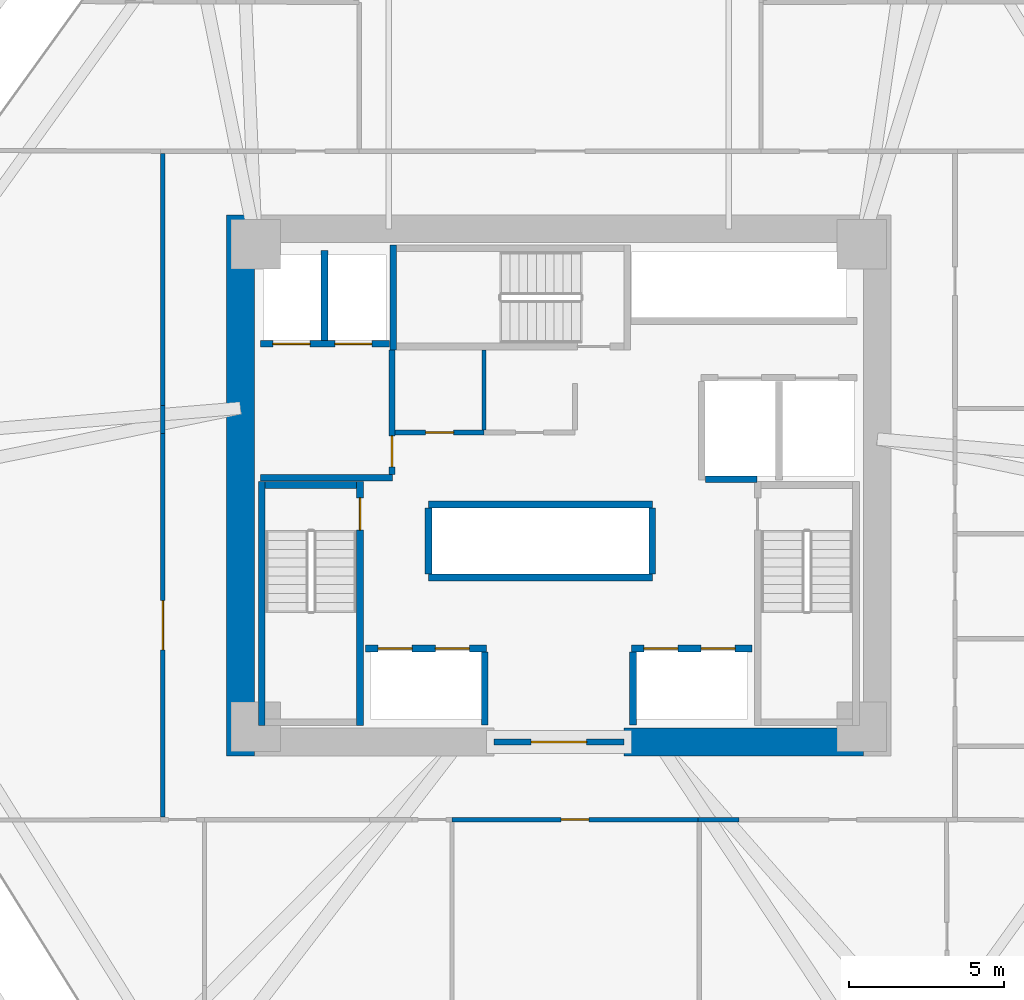
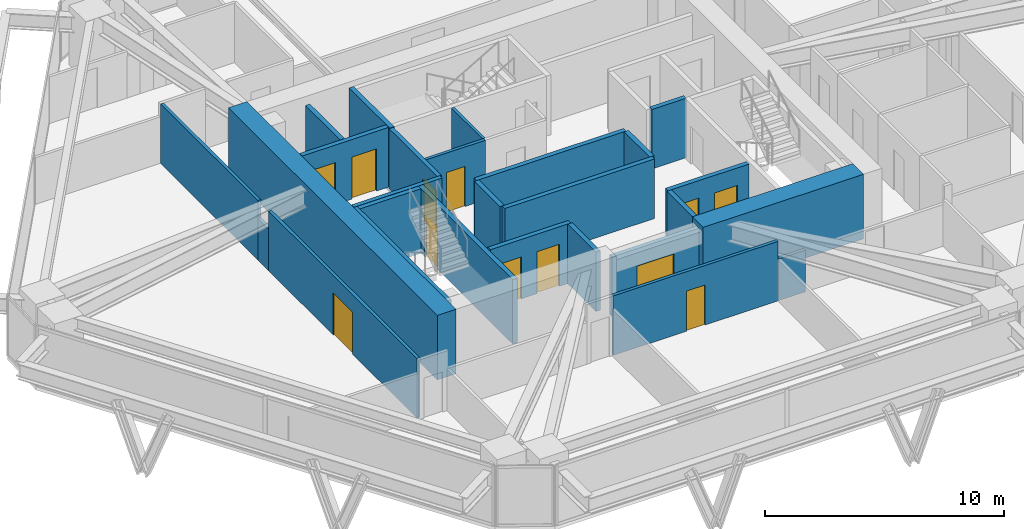
# One storey, part 11 of 15: 27 walls, 12 doors, 12 openings.
"""IFC4 building model written with IfcOpenShell, lengths in metres."""

from ifc_helpers import new_model, si_unit, direction, frame, frame_2d, origin, place, context, subcontext, project, spatial, rectangle, extrude, source, transform, mapped, material, layer, layer_set, type_object, type_shapes, element, fill, save


model = new_model("IFC4")

# Units and contexts
model_context = context("Model", 3, precision=1e-05, world=origin(), true_north=direction((0.0, 1.0)))
body_context = subcontext(model_context, "Body", "Model", "MODEL_VIEW")
ifc_project = project(units=[si_unit("LENGTHUNIT", "METRE"), si_unit("AREAUNIT", "SQUARE_METRE"), si_unit("VOLUMEUNIT", "CUBIC_METRE"), si_unit("PLANEANGLEUNIT", "RADIAN"), si_unit("MASSUNIT", "GRAM", prefix="KILO")], contexts=[model_context])

# Site, building, storey
site_placement = place(None, origin())
site = spatial("IfcSite", under=ifc_project, at=site_placement, CompositionType="ELEMENT")
building_placement = place(site_placement, origin())
building = spatial("IfcBuilding", under=site, at=building_placement, Name="Durnholm Broadcast Tower", CompositionType="ELEMENT")
storey_placement = place(building_placement, frame((0.0, 0.0, 62.10009765625)))
storey = spatial("IfcBuildingStorey", under=building, at=storey_placement, Name="L15", CompositionType="ELEMENT", Elevation=62.10009765625)

# Walls
ifc_material_1 = material(Name="Concrete C70/85", Category="concrete")
ifc_layer_1 = layer(ifc_material_1, 0.89990234375)
ifc_layer_set_1 = layer_set([ifc_layer_1], Name="Concrete C70/85")
wall_type_1 = type_object("IfcWallType", Name="WALL-CW-900", PredefinedType="SHEAR", material=ifc_layer_set_1)
wall_1_placement = place(storey_placement, frame((-10.300048828125, -8.75, 0.0), z_axis=(0.0, 0.0, 1.0), x_axis=(0.0, 1.0, 0.0)))
element("IfcWall", 1, at=wall_1_placement, inside=storey, type_object=wall_type_1, Name="L15 central core shear wall CW-WEST", PredefinedType="SHEAR", context=body_context, shape_type="SweptSolid", body=[
    extrude(rectangle(XDim=17.5, YDim=0.89990234375, at=frame_2d((8.75, 0.0))), origin(), (0.0, 0.0, 1.0), 3.2998046875),
])
wall_2_placement = place(storey_placement, frame((2.10009765625, -8.300048828125, 0.0), z_axis=(0.0, 0.0, 1.0), x_axis=(1.0, 0.0, 0.0)))
element("IfcWall", 2, at=wall_2_placement, inside=storey, type_object=wall_type_1, Name="L15 central core shear wall CW-S2", PredefinedType="SHEAR", context=body_context, shape_type="SweptSolid", body=[
    extrude(rectangle(XDim=7.75, YDim=0.89990234375, at=frame_2d((3.875, 0.0))), origin(), (0.0, 0.0, 1.0), 3.2998046875),
])

# Wall, opening, door
ifc_material_2 = material(Name="Fire-Rated Gypsum Shaftwall", Category="concrete")
ifc_layer_2 = layer(ifc_material_2, 0.199951171875)
ifc_layer_set_2 = layer_set([ifc_layer_2], Name="Fire-Rated Gypsum Shaftwall")
wall_type_2 = type_object("IfcWallType", Name="WALL-LOB-200", PredefinedType="SOLIDWALL", material=ifc_layer_set_2)
wall_3_placement = place(storey_placement, frame((-2.10009765625, -8.300048828125, 0.0), z_axis=(0.0, 0.0, 1.0), x_axis=(1.0, 0.0, 0.0)))
wall_3 = element("IfcWall", 3, at=wall_3_placement, inside=storey, type_object=wall_type_2, Name="L15 south core lobby fire screen", PredefinedType="SOLIDWALL", context=body_context, shape_type="SweptSolid", body=[
    extrude(rectangle(XDim=4.2001953125, YDim=0.199951171875, at=frame_2d((2.10009765625, 0.0))), origin(), (0.0, 0.0, 1.0), 3.044921875),
])
opening_1_placement = place(wall_3_placement, frame((1.199951171875, 0.0, 0.0)))
opening_1 = element("IfcOpeningElement", 4, at=opening_1_placement, cuts=wall_3, Name="Opening DP-60", PredefinedType="OPENING", context=body_context, shape_type="SweptSolid", body=[
    extrude(rectangle(XDim=1.800048828125, YDim=2.14990234375, at=frame_2d((0.89990234375, 1.074951171875))), frame((0.0, 0.10986328125, 0.0), z_axis=(0.0, -1.0, 0.0), x_axis=(1.0, 0.0, 0.0)), (0.0, 0.0, 1.0), 0.219970703125),
])
ifc_material_3 = material(Name="Fire-Rated Double Corridor Door", Category="steel")
ifc_layer_3 = layer(ifc_material_3, 0.050048828125)
ifc_layer_set_3 = layer_set([ifc_layer_3], Name="Fire-Rated Double Corridor Door")
door_type_1 = type_object("IfcDoorType", Name="DOOR-PAIR-FD60", OperationType="DOUBLE_DOOR_SINGLE_SWING", PredefinedType="DOOR", material=ifc_layer_set_3)
shared_shape_1 = source(origin(), body_context, "Body", "SweptSolid", [
    extrude(rectangle(XDim=1.800048828125, YDim=2.14990234375, at=frame_2d((0.89990234375, 1.074951171875))), frame((0.0, 0.02490234375, 0.0), z_axis=(0.0, -1.0, 0.0), x_axis=(1.0, 0.0, 0.0)), (0.0, 0.0, 1.0), 0.050048828125),
])
type_shapes(door_type_1, [shared_shape_1])
door_1_placement = place(opening_1_placement, origin())
door_1 = element("IfcDoor", 5, at=door_1_placement, inside=storey, type_object=door_type_1, Name="L15 south core lobby double fire door", OperationType="DOUBLE_DOOR_SINGLE_SWING", OverallHeight=2.14990234375, OverallWidth=1.800048828125, PredefinedType="DOOR", context=body_context, shape_type="MappedRepresentation", body=[
    mapped(shared_shape_1, transform((0.0, 0.0, 0.0), x_axis=(1.0, 0.0, 0.0), y_axis=(0.0, 1.0, 0.0), z_axis=(0.0, 0.0, 1.0), scale=1.0)),
])
fill(opening_1, door_1)

# Wall
wall_4_placement = place(storey_placement, frame((-9.64990234375, 0.25, 0.0), z_axis=(0.0, 0.0, 1.0), x_axis=(1.0, 0.0, 0.0)))
element("IfcWall", 6, at=wall_4_placement, inside=storey, type_object=wall_type_2, Name="L15 Fire Service Access Elevator lobby south wall", PredefinedType="SOLIDWALL", context=body_context, shape_type="SweptSolid", body=[
    extrude(rectangle(XDim=4.27001953125, YDim=0.199951171875, at=frame_2d((2.135009765625, 0.0))), origin(), (0.0, 0.0, 1.0), 3.044921875),
])

# Wall, opening, door
wall_5_placement = place(storey_placement, frame((-5.39990234375, 0.35400390625, 0.0), z_axis=(0.0, 0.0, 1.0), x_axis=(0.0, 1.0, 0.0)))
wall_5 = element("IfcWall", 7, at=wall_5_placement, inside=storey, type_object=wall_type_2, Name="L15 Fire Service Access Elevator lobby east fire wall", PredefinedType="SOLIDWALL", context=body_context, shape_type="SweptSolid", body=[
    extrude(rectangle(XDim=4.02587890625, YDim=0.199951171875, at=frame_2d((2.012939453125, 0.0))), origin(), (0.0, 0.0, 1.0), 3.044921875),
])
opening_2_placement = place(wall_5_placement, frame((0.24609375, 0.0, 0.0)))
opening_2 = element("IfcOpeningElement", 8, at=opening_2_placement, cuts=wall_5, Name="Opening DL-60R", PredefinedType="OPENING", context=body_context, shape_type="SweptSolid", body=[
    extrude(rectangle(XDim=1.0, YDim=2.14990234375, at=frame_2d((0.5, 1.074951171875))), frame((0.0, 0.10986328125, 0.0), z_axis=(0.0, -1.0, 0.0), x_axis=(1.0, 0.0, 0.0)), (0.0, 0.0, 1.0), 0.219970703125),
])
ifc_material_4 = material(Name="Fire-Rated Timber/Steel Door", Category="steel")
ifc_layer_4 = layer(ifc_material_4, 0.050048828125)
ifc_layer_set_4 = layer_set([ifc_layer_4], Name="Fire-Rated Timber/Steel Door")
door_type_2 = type_object("IfcDoorType", Name="DOOR-LOB-FD60-R", OperationType="NOTDEFINED", PredefinedType="DOOR", material=ifc_layer_set_4)
shared_shape_2 = source(origin(), body_context, "Body", "SweptSolid", [
    extrude(rectangle(XDim=1.0, YDim=2.14990234375, at=frame_2d((0.5, 1.074951171875))), frame((0.0, 0.02490234375, 0.0), z_axis=(0.0, -1.0, 0.0), x_axis=(1.0, 0.0, 0.0)), (0.0, 0.0, 1.0), 0.050048828125),
])
type_shapes(door_type_2, [shared_shape_2])
door_2_placement = place(opening_2_placement, origin())
door_2 = element("IfcDoor", 9, at=door_2_placement, inside=storey, type_object=door_type_2, Name="L15 Fire Service Access Elevator lobby smoke door", OperationType="SINGLE_SWING_RIGHT", OverallHeight=2.14990234375, OverallWidth=1.0, PredefinedType="DOOR", context=body_context, shape_type="MappedRepresentation", body=[
    mapped(shared_shape_2, transform((0.0, 0.0, 0.0), x_axis=(1.0, 0.0, 0.0), y_axis=(0.0, 1.0, 0.0), z_axis=(0.0, 0.0, 1.0), scale=1.0)),
])
fill(opening_2, door_2)

# Wall
ifc_material_5 = material(Name="Gypsum Metal Stud Partition", Category="concrete")
ifc_layer_5 = layer(ifc_material_5, 0.135009765625)
ifc_layer_set_5 = layer_set([ifc_layer_5], Name="Gypsum Metal Stud Partition")
wall_type_3 = type_object("IfcWallType", Name="WALL-PART-135", PredefinedType="PARTITIONING", material=ifc_layer_set_5)
wall_6_placement = place(storey_placement, frame((-2.419921875, 4.375, 0.0), z_axis=(0.0, 0.0, 1.0), x_axis=(0.0, -1.0, 0.0)))
element("IfcWall", 10, at=wall_6_placement, inside=storey, type_object=wall_type_3, Name="L15 room dividing partition 1.2", PredefinedType="PARTITIONING", context=body_context, shape_type="SweptSolid", body=[
    extrude(rectangle(XDim=2.5859375, YDim=0.135009765625, at=frame_2d((1.29296875, 0.0))), origin(), (0.0, 0.0, 1.0), 3.044921875),
])

# Wall, opening, door
ifc_material_6 = material(Name="Acoustic Gypsum Stud Partition", Category="concrete")
ifc_layer_6 = layer(ifc_material_6, 0.14990234375)
ifc_layer_set_6 = layer_set([ifc_layer_6], Name="Acoustic Gypsum Stud Partition")
wall_type_4 = type_object("IfcWallType", Name="WALL-PART-150", PredefinedType="PARTITIONING", material=ifc_layer_set_6)
wall_7_placement = place(storey_placement, frame((-2.419921875, 1.7099609375, 0.0), z_axis=(0.0, 0.0, 1.0), x_axis=(-1.0, 0.0, 0.0)))
wall_7 = element("IfcWall", 11, at=wall_7_placement, inside=storey, type_object=wall_type_4, Name="L15 Core Equipment Store corridor partition", PredefinedType="PARTITIONING", context=body_context, shape_type="SweptSolid", body=[
    extrude(rectangle(XDim=2.8759765625, YDim=0.14990234375, at=frame_2d((1.43798828125, 0.0))), origin(), (0.0, 0.0, 1.0), 3.044921875),
])
opening_3_placement = place(wall_7_placement, frame((0.988037109375, 0.0, 0.0)))
opening_3 = element("IfcOpeningElement", 12, at=opening_3_placement, cuts=wall_7, Name="Opening DC-60R", PredefinedType="OPENING", context=body_context, shape_type="SweptSolid", body=[
    extrude(rectangle(XDim=0.89990234375, YDim=2.050048828125, at=frame_2d((0.449951171875, 1.02490234375))), frame((0.0, 0.0849609375, 0.0), z_axis=(0.0, -1.0, 0.0), x_axis=(1.0, 0.0, 0.0)), (0.0, 0.0, 1.0), 0.169921875),
])
ifc_material_7 = material(Name="Fire-Rated Core Service Door", Category="steel")
ifc_layer_7 = layer(ifc_material_7, 0.050048828125)
ifc_layer_set_7 = layer_set([ifc_layer_7], Name="Fire-Rated Core Service Door")
door_type_3 = type_object("IfcDoorType", Name="DOOR-CORE-FD60-R", OperationType="NOTDEFINED", PredefinedType="DOOR", material=ifc_layer_set_7)
shared_shape_3 = source(origin(), body_context, "Body", "SweptSolid", [
    extrude(rectangle(XDim=0.89990234375, YDim=2.050048828125, at=frame_2d((0.449951171875, 1.02490234375))), frame((0.0, 0.02490234375, 0.0), z_axis=(0.0, -1.0, 0.0), x_axis=(1.0, 0.0, 0.0)), (0.0, 0.0, 1.0), 0.050048828125),
])
type_shapes(door_type_3, [shared_shape_3])
door_3_placement = place(opening_3_placement, origin())
door_3 = element("IfcDoor", 13, at=door_3_placement, inside=storey, type_object=door_type_3, Name="L15 Core Equipment Store entrance door", OperationType="SINGLE_SWING_RIGHT", OverallHeight=2.050048828125, OverallWidth=0.89990234375, PredefinedType="DOOR", context=body_context, shape_type="MappedRepresentation", body=[
    mapped(shared_shape_3, transform((0.0, 0.0, 0.0), x_axis=(1.0, 0.0, 0.0), y_axis=(0.0, 1.0, 0.0), z_axis=(0.0, 0.0, 1.0), scale=1.0)),
])
fill(opening_3, door_3)

wall_8_placement = place(storey_placement, frame((-3.4599609375, -10.81005859375, 0.0), z_axis=(0.0, 0.0, 1.0), x_axis=(1.0, 0.0, 0.0)))
wall_8 = element("IfcWall", 14, at=wall_8_placement, inside=storey, type_object=wall_type_4, Name="L15 Field Gear Store corridor partition", PredefinedType="PARTITIONING", context=body_context, shape_type="SweptSolid", body=[
    extrude(rectangle(XDim=7.959228515625, YDim=0.14990234375, at=frame_2d((3.9794921875, 0.0))), origin(), (0.0, 0.0, 1.0), 3.044921875),
])
opening_4_placement = place(wall_8_placement, frame((3.529541015625, 0.0, 0.0)))
opening_4 = element("IfcOpeningElement", 15, at=opening_4_placement, cuts=wall_8, Name="Opening DC-60R", PredefinedType="OPENING", context=body_context, shape_type="SweptSolid", body=[
    extrude(rectangle(XDim=0.89990234375, YDim=2.050048828125, at=frame_2d((0.449951171875, 1.02490234375))), frame((0.0, 0.0849609375, 0.0), z_axis=(0.0, -1.0, 0.0), x_axis=(1.0, 0.0, 0.0)), (0.0, 0.0, 1.0), 0.169921875),
])
door_4_placement = place(opening_4_placement, origin())
door_4 = element("IfcDoor", 16, at=door_4_placement, inside=storey, type_object=door_type_3, Name="L15 Field Gear Store entrance door", OperationType="SINGLE_SWING_RIGHT", OverallHeight=2.050048828125, OverallWidth=0.89990234375, PredefinedType="DOOR", context=body_context, shape_type="MappedRepresentation", body=[
    mapped(shared_shape_3, transform((0.0, 0.0, 0.0), x_axis=(1.0, 0.0, 0.0), y_axis=(0.0, 1.0, 0.0), z_axis=(0.0, 0.0, 1.0), scale=1.0)),
])
fill(opening_4, door_4)

# Walls
wall_9_placement = place(storey_placement, frame((4.499267578125, -10.81005859375, 0.0), z_axis=(0.0, 0.0, 1.0), x_axis=(1.0, 0.0, 0.0)))
element("IfcWall", 17, at=wall_9_placement, inside=storey, type_object=wall_type_4, Name="L15 Open Plan Broadcast Workspace 4 corridor partition", PredefinedType="PARTITIONING", context=body_context, shape_type="SweptSolid", body=[
    extrude(rectangle(XDim=1.318115234375, YDim=0.14990234375, at=frame_2d((0.6591796875, 0.0))), origin(), (0.0, 0.0, 1.0), 2.130126953125),
])
wall_10_placement = place(storey_placement, frame((-12.81005859375, 10.73095703125, 0.0), z_axis=(0.0, 0.0, 1.0), x_axis=(0.0, -1.0, 0.0)))
element("IfcWall", 18, at=wall_10_placement, inside=storey, type_object=wall_type_4, Name="L15 Documentary Screening Hall corridor partition", PredefinedType="PARTITIONING", context=body_context, shape_type="SweptSolid", body=[
    extrude(rectangle(XDim=8.138671875, YDim=0.14990234375, at=frame_2d((4.0693359375, 0.0))), origin(), (0.0, 0.0, 1.0), 3.044921875),
])

# Wall, opening, door
wall_11_placement = place(storey_placement, frame((-12.81005859375, 1.682373046875, 0.0), z_axis=(0.0, 0.0, 1.0), x_axis=(0.0, -1.0, 0.0)))
wall_11 = element("IfcWall", 19, at=wall_11_placement, inside=storey, type_object=wall_type_4, Name="L15 Documentary Screening Hall corridor partition", PredefinedType="PARTITIONING", context=body_context, shape_type="SweptSolid", body=[
    extrude(rectangle(XDim=12.413330078125, YDim=0.14990234375, at=frame_2d((6.20654296875, 0.0))), origin(), (0.0, 0.0, 1.0), 3.044921875),
])
opening_5_placement = place(wall_11_placement, frame((5.406494140625, 0.0, 0.0)))
opening_5 = element("IfcOpeningElement", 20, at=opening_5_placement, cuts=wall_11, Name="Opening DST-160", PredefinedType="OPENING", context=body_context, shape_type="SweptSolid", body=[
    extrude(rectangle(XDim=1.60009765625, YDim=2.14990234375, at=frame_2d((0.800048828125, 1.074951171875))), frame((0.0, 0.0849609375, 0.0), z_axis=(0.0, -1.0, 0.0), x_axis=(1.0, 0.0, 0.0)), (0.0, 0.0, 1.0), 0.169921875),
])
ifc_material_8 = material(Name="Acoustic Broadcast Studio Sound-Lock Door", Category="steel")
ifc_layer_8 = layer(ifc_material_8, 0.050048828125)
ifc_layer_set_8 = layer_set([ifc_layer_8], Name="Acoustic Broadcast Studio Sound-Lock Door")
door_type_4 = type_object("IfcDoorType", Name="DOOR-STU-1600", OperationType="DOUBLE_DOOR_SINGLE_SWING", PredefinedType="DOOR", material=ifc_layer_set_8)
shared_shape_4 = source(origin(), body_context, "Body", "SweptSolid", [
    extrude(rectangle(XDim=1.60009765625, YDim=2.14990234375, at=frame_2d((0.800048828125, 1.074951171875))), frame((0.0, 0.02490234375, 0.0), z_axis=(0.0, -1.0, 0.0), x_axis=(1.0, 0.0, 0.0)), (0.0, 0.0, 1.0), 0.050048828125),
])
type_shapes(door_type_4, [shared_shape_4])
door_5_placement = place(opening_5_placement, origin())
door_5 = element("IfcDoor", 21, at=door_5_placement, inside=storey, type_object=door_type_4, Name="L15 Documentary Screening Hall entrance door", OperationType="DOUBLE_DOOR_SINGLE_SWING", OverallHeight=2.14990234375, OverallWidth=1.60009765625, PredefinedType="DOOR", context=body_context, shape_type="MappedRepresentation", body=[
    mapped(shared_shape_4, transform((0.0, 0.0, 0.0), x_axis=(1.0, 0.0, 0.0), y_axis=(0.0, 1.0, 0.0), z_axis=(0.0, 0.0, 1.0), scale=1.0)),
])
fill(opening_5, door_5)

# Wall
wall_12_placement = place(storey_placement, frame((-12.81005859375, 2.59228515625, 0.0), z_axis=(0.0, 0.0, 1.0), x_axis=(0.0, -1.0, 0.0)))
element("IfcWall", 22, at=wall_12_placement, inside=storey, type_object=wall_type_4, Name="L15 Documentary Screening Hall corridor partition", PredefinedType="PARTITIONING", context=body_context, shape_type="SweptSolid", body=[
    extrude(rectangle(XDim=0.909912109375, YDim=0.14990234375, at=frame_2d((0.455078125, 0.0))), origin(), (0.0, 0.0, 1.0), 2.130126953125),
])

# Wall, openings, doors
ifc_material_9 = material(Name="Concrete Blockwork C30/37", Category="masonry")
ifc_layer_9 = layer(ifc_material_9, 0.219970703125)
ifc_layer_set_9 = layer_set([ifc_layer_9], Name="Concrete Blockwork C30/37")
wall_type_5 = type_object("IfcWallType", Name="WALL-SHAFT-220", PredefinedType="SOLIDWALL", material=ifc_layer_set_9)
wall_13_placement = place(storey_placement, frame((-9.64990234375, 4.580078125, 0.0), z_axis=(0.0, 0.0, 1.0), x_axis=(1.0, 0.0, 0.0)))
wall_13 = element("IfcWall", 23, at=wall_13_placement, inside=storey, type_object=wall_type_5, Name="L15 FSAE hoistway front fire wall", PredefinedType="SOLIDWALL", context=body_context, shape_type="SweptSolid", body=[
    extrude(rectangle(XDim=4.1748046875, YDim=0.219970703125, at=frame_2d((2.08740234375, 0.0))), origin(), (0.0, 0.0, 1.0), 3.044921875),
])
opening_6_placement = place(wall_13_placement, frame((0.39990234375, 0.0, 0.0)))
opening_6 = element("IfcOpeningElement", 24, at=opening_6_placement, cuts=wall_13, Name="Opening LD-FSAE-2", PredefinedType="OPENING", context=body_context, shape_type="SweptSolid", body=[
    extrude(rectangle(XDim=1.199951171875, YDim=2.14990234375, at=frame_2d((0.60009765625, 1.074951171875))), frame((0.0, 0.1201171875, 0.0), z_axis=(0.0, -1.0, 0.0), x_axis=(1.0, 0.0, 0.0)), (0.0, 0.0, 1.0), 0.239990234375),
])
opening_7_placement = place(wall_13_placement, frame((2.39990234375, 0.0, 0.0)))
opening_7 = element("IfcOpeningElement", 25, at=opening_7_placement, cuts=wall_13, Name="Opening LD-FSAE-1", PredefinedType="OPENING", context=body_context, shape_type="SweptSolid", body=[
    extrude(rectangle(XDim=1.199951171875, YDim=2.14990234375, at=frame_2d((0.60009765625, 1.074951171875))), frame((0.0, 0.1201171875, 0.0), z_axis=(0.0, -1.0, 0.0), x_axis=(1.0, 0.0, 0.0)), (0.0, 0.0, 1.0), 0.239990234375),
])
ifc_material_10 = material(Name="Fire Service Access Sliding Landing Door", Category="steel")
ifc_layer_10 = layer(ifc_material_10, 0.050048828125)
ifc_layer_set_10 = layer_set([ifc_layer_10], Name="Fire Service Access Sliding Landing Door")
door_type_5 = type_object("IfcDoorType", Name="DOOR-LIFT-FSAE", OperationType="DOUBLE_DOOR_SLIDING", PredefinedType="DOOR", material=ifc_layer_set_10)
shared_shape_5 = source(origin(), body_context, "Body", "SweptSolid", [
    extrude(rectangle(XDim=1.199951171875, YDim=2.14990234375, at=frame_2d((0.60009765625, 1.074951171875))), frame((0.0, 0.02490234375, 0.0), z_axis=(0.0, -1.0, 0.0), x_axis=(1.0, 0.0, 0.0)), (0.0, 0.0, 1.0), 0.050048828125),
])
type_shapes(door_type_5, [shared_shape_5])
door_6_placement = place(opening_6_placement, origin())
door_6 = element("IfcDoor", 26, at=door_6_placement, inside=storey, type_object=door_type_5, Name="L15 Fire Service Access Elevator FSAE-2 sliding landing door", OperationType="DOUBLE_DOOR_SLIDING", OverallHeight=2.14990234375, OverallWidth=1.199951171875, PredefinedType="DOOR", context=body_context, shape_type="MappedRepresentation", body=[
    mapped(shared_shape_5, transform((0.0, 0.0, 0.0), x_axis=(1.0, 0.0, 0.0), y_axis=(0.0, 1.0, 0.0), z_axis=(0.0, 0.0, 1.0), scale=1.0)),
])
fill(opening_6, door_6)
door_7_placement = place(opening_7_placement, origin())
door_7 = element("IfcDoor", 27, at=door_7_placement, inside=storey, type_object=door_type_5, Name="L15 Fire Service Access Elevator FSAE-1 sliding landing door", OperationType="DOUBLE_DOOR_SLIDING", OverallHeight=2.14990234375, OverallWidth=1.199951171875, PredefinedType="DOOR", context=body_context, shape_type="MappedRepresentation", body=[
    mapped(shared_shape_5, transform((0.0, 0.0, 0.0), x_axis=(1.0, 0.0, 0.0), y_axis=(0.0, 1.0, 0.0), z_axis=(0.0, 0.0, 1.0), scale=1.0)),
])
fill(opening_7, door_7)

# Walls
wall_14_placement = place(storey_placement, frame((-7.580078125, 4.694091796875, 0.0), z_axis=(0.0, 0.0, 1.0), x_axis=(0.0, 1.0, 0.0)))
element("IfcWall", 28, at=wall_14_placement, inside=storey, type_object=wall_type_5, Name="L15 FSAE shaft divider wall", PredefinedType="SOLIDWALL", context=body_context, shape_type="SweptSolid", body=[
    extrude(rectangle(XDim=2.906005859375, YDim=0.219970703125, at=frame_2d((1.453125, 0.0))), origin(), (0.0, 0.0, 1.0), 3.044921875),
])
wall_15_placement = place(storey_placement, frame((4.73388671875, 0.199951171875, 0.0), z_axis=(0.0, 0.0, 1.0), x_axis=(1.0, 0.0, 0.0)))
element("IfcWall", 29, at=wall_15_placement, inside=storey, type_object=wall_type_5, Name="L15 freight service lift SVL-2 south wall", PredefinedType="SOLIDWALL", context=body_context, shape_type="SweptSolid", body=[
    extrude(rectangle(XDim=1.666015625, YDim=0.219970703125, at=frame_2d((0.8330078125, 0.0))), origin(), (0.0, 0.0, 1.0), 3.044921875),
])

# Wall, openings, doors
wall_16_placement = place(storey_placement, frame((-6.25, -5.280029296875, 0.0), z_axis=(0.0, 0.0, 1.0), x_axis=(1.0, 0.0, 0.0)))
wall_16 = element("IfcWall", 30, at=wall_16_placement, inside=storey, type_object=wall_type_5, Name="L15 low-rise bank P1 west front wall", PredefinedType="SOLIDWALL", context=body_context, shape_type="SweptSolid", body=[
    extrude(rectangle(XDim=3.89990234375, YDim=0.219970703125, at=frame_2d((1.949951171875, 0.0))), origin(), (0.0, 0.0, 1.0), 3.044921875),
])
opening_8_placement = place(wall_16_placement, frame((0.39990234375, 0.0, 0.0)))
opening_8 = element("IfcOpeningElement", 31, at=opening_8_placement, cuts=wall_16, Name="Opening LD-LP1-1", PredefinedType="OPENING", context=body_context, shape_type="SweptSolid", body=[
    extrude(rectangle(XDim=1.10009765625, YDim=2.14990234375, at=frame_2d((0.550048828125, 1.074951171875))), frame((0.0, 0.1201171875, 0.0), z_axis=(0.0, -1.0, 0.0), x_axis=(1.0, 0.0, 0.0)), (0.0, 0.0, 1.0), 0.239990234375),
])
opening_9_placement = place(wall_16_placement, frame((2.25, 0.0, 0.0)))
opening_9 = element("IfcOpeningElement", 32, at=opening_9_placement, cuts=wall_16, Name="Opening LD-LP1-2", PredefinedType="OPENING", context=body_context, shape_type="SweptSolid", body=[
    extrude(rectangle(XDim=1.10009765625, YDim=2.14990234375, at=frame_2d((0.550048828125, 1.074951171875))), frame((0.0, 0.1201171875, 0.0), z_axis=(0.0, -1.0, 0.0), x_axis=(1.0, 0.0, 0.0)), (0.0, 0.0, 1.0), 0.239990234375),
])
ifc_material_11 = material(Name="Stainless Steel Sliding Elevator Landing Door", Category="steel")
ifc_layer_11 = layer(ifc_material_11, 0.050048828125)
ifc_layer_set_11 = layer_set([ifc_layer_11], Name="Stainless Steel Sliding Elevator Landing Door")
door_type_6 = type_object("IfcDoorType", Name="DOOR-LIFT-PAX", OperationType="DOUBLE_DOOR_SLIDING", PredefinedType="DOOR", material=ifc_layer_set_11)
shared_shape_6 = source(origin(), body_context, "Body", "SweptSolid", [
    extrude(rectangle(XDim=1.10009765625, YDim=2.14990234375, at=frame_2d((0.550048828125, 1.074951171875))), frame((0.0, 0.02490234375, 0.0), z_axis=(0.0, -1.0, 0.0), x_axis=(1.0, 0.0, 0.0)), (0.0, 0.0, 1.0), 0.050048828125),
])
type_shapes(door_type_6, [shared_shape_6])
door_8_placement = place(opening_8_placement, origin())
door_8 = element("IfcDoor", 33, at=door_8_placement, inside=storey, type_object=door_type_6, Name="L15 passenger elevator LP1-1 sliding landing door", OperationType="DOUBLE_DOOR_SLIDING", OverallHeight=2.14990234375, OverallWidth=1.10009765625, PredefinedType="DOOR", context=body_context, shape_type="MappedRepresentation", body=[
    mapped(shared_shape_6, transform((0.0, 0.0, 0.0), x_axis=(1.0, 0.0, 0.0), y_axis=(0.0, 1.0, 0.0), z_axis=(0.0, 0.0, 1.0), scale=1.0)),
])
fill(opening_8, door_8)
door_9_placement = place(opening_9_placement, origin())
door_9 = element("IfcDoor", 34, at=door_9_placement, inside=storey, type_object=door_type_6, Name="L15 passenger elevator LP1-2 sliding landing door", OperationType="DOUBLE_DOOR_SLIDING", OverallHeight=2.14990234375, OverallWidth=1.10009765625, PredefinedType="DOOR", context=body_context, shape_type="MappedRepresentation", body=[
    mapped(shared_shape_6, transform((0.0, 0.0, 0.0), x_axis=(1.0, 0.0, 0.0), y_axis=(0.0, 1.0, 0.0), z_axis=(0.0, 0.0, 1.0), scale=1.0)),
])
fill(opening_9, door_9)

wall_17_placement = place(storey_placement, frame((2.35009765625, -5.280029296875, 0.0), z_axis=(0.0, 0.0, 1.0), x_axis=(1.0, 0.0, 0.0)))
wall_17 = element("IfcWall", 35, at=wall_17_placement, inside=storey, type_object=wall_type_5, Name="L15 low-rise bank P1 east front wall", PredefinedType="SOLIDWALL", context=body_context, shape_type="SweptSolid", body=[
    extrude(rectangle(XDim=3.89990234375, YDim=0.219970703125, at=frame_2d((1.949951171875, 0.0))), origin(), (0.0, 0.0, 1.0), 3.044921875),
])
opening_10_placement = place(wall_17_placement, frame((0.39990234375, 0.0, 0.0)))
opening_10 = element("IfcOpeningElement", 36, at=opening_10_placement, cuts=wall_17, Name="Opening LD-LP1-3", PredefinedType="OPENING", context=body_context, shape_type="SweptSolid", body=[
    extrude(rectangle(XDim=1.10009765625, YDim=2.14990234375, at=frame_2d((0.550048828125, 1.074951171875))), frame((0.0, 0.1201171875, 0.0), z_axis=(0.0, -1.0, 0.0), x_axis=(1.0, 0.0, 0.0)), (0.0, 0.0, 1.0), 0.239990234375),
])
opening_11_placement = place(wall_17_placement, frame((2.25, 0.0, 0.0)))
opening_11 = element("IfcOpeningElement", 37, at=opening_11_placement, cuts=wall_17, Name="Opening LD-LP1-4", PredefinedType="OPENING", context=body_context, shape_type="SweptSolid", body=[
    extrude(rectangle(XDim=1.10009765625, YDim=2.14990234375, at=frame_2d((0.550048828125, 1.074951171875))), frame((0.0, 0.1201171875, 0.0), z_axis=(0.0, -1.0, 0.0), x_axis=(1.0, 0.0, 0.0)), (0.0, 0.0, 1.0), 0.239990234375),
])
door_10_placement = place(opening_10_placement, origin())
door_10 = element("IfcDoor", 38, at=door_10_placement, inside=storey, type_object=door_type_6, Name="L15 passenger elevator LP1-3 sliding landing door", OperationType="DOUBLE_DOOR_SLIDING", OverallHeight=2.14990234375, OverallWidth=1.10009765625, PredefinedType="DOOR", context=body_context, shape_type="MappedRepresentation", body=[
    mapped(shared_shape_6, transform((0.0, 0.0, 0.0), x_axis=(1.0, 0.0, 0.0), y_axis=(0.0, 1.0, 0.0), z_axis=(0.0, 0.0, 1.0), scale=1.0)),
])
fill(opening_10, door_10)
door_11_placement = place(opening_11_placement, origin())
door_11 = element("IfcDoor", 39, at=door_11_placement, inside=storey, type_object=door_type_6, Name="L15 passenger elevator LP1-4 sliding landing door", OperationType="DOUBLE_DOOR_SLIDING", OverallHeight=2.14990234375, OverallWidth=1.10009765625, PredefinedType="DOOR", context=body_context, shape_type="MappedRepresentation", body=[
    mapped(shared_shape_6, transform((0.0, 0.0, 0.0), x_axis=(1.0, 0.0, 0.0), y_axis=(0.0, 1.0, 0.0), z_axis=(0.0, 0.0, 1.0), scale=1.0)),
])
fill(opening_11, door_11)

# Walls
for number, where, z_axis, x_axis, name in (
    (40, (-2.39990234375, -7.75, 0.0), (0.0, 0.0, 1.0), (0.0, 1.0, 0.0), "L15 low-rise bank P1 west mouth wall"),
    (41, (2.39990234375, -7.75, 0.0), (0.0, 0.0, 1.0), (0.0, 1.0, 0.0), "L15 low-rise bank P1 east mouth wall"),
):
    element("IfcWall", number, at=place(storey_placement, frame(where, z_axis=z_axis, x_axis=x_axis)), inside=storey, type_object=wall_type_5, Name=name, PredefinedType="SOLIDWALL", context=body_context, shape_type="SweptSolid", body=[
        extrude(rectangle(XDim=2.35595703125, YDim=0.219970703125, at=frame_2d((1.177978515625, 0.0))), origin(), (0.0, 0.0, 1.0), 3.044921875),
    ])
for number, where, z_axis, x_axis, name in (
    (42, (-4.219970703125, -2.97998046875, 0.0), (0.0, 0.0, 1.0), (1.0, 0.0, 0.0), "L15 mid-rise bank P2 south front wall"),
    (43, (-4.219970703125, -0.6201171875, 0.0), (0.0, 0.0, 1.0), (1.0, 0.0, 0.0), "L15 mid-rise bank P2 north shaft wall"),
):
    element("IfcWall", number, at=place(storey_placement, frame(where, z_axis=z_axis, x_axis=x_axis)), inside=storey, type_object=wall_type_5, Name=name, PredefinedType="SOLIDWALL", context=body_context, shape_type="SweptSolid", body=[
        extrude(rectangle(XDim=7.239990234375, YDim=0.219970703125, at=frame_2d((3.6201171875, 0.0))), origin(), (0.0, 0.0, 1.0), 3.044921875),
    ])
for number, where, z_axis, x_axis, name in (
    (44, (-4.219970703125, -2.865966796875, 0.0), (0.0, 0.0, 1.0), (0.0, 1.0, 0.0), "L15 mid-rise bank P2 west shaft wall"),
    (45, (3.02001953125, -2.865966796875, 0.0), (0.0, 0.0, 1.0), (0.0, 1.0, 0.0), "L15 mid-rise bank P2 east shaft wall"),
):
    element("IfcWall", number, at=place(storey_placement, frame(where, z_axis=z_axis, x_axis=x_axis)), inside=storey, type_object=wall_type_5, Name=name, PredefinedType="SOLIDWALL", context=body_context, shape_type="SweptSolid", body=[
        extrude(rectangle(XDim=2.132080078125, YDim=0.219970703125, at=frame_2d((1.06591796875, 0.0))), origin(), (0.0, 0.0, 1.0), 3.044921875),
    ])

# Wall, opening, door
ifc_material_12 = material(Name="Concrete C50/60", Category="concrete")
ifc_layer_12 = layer(ifc_material_12, 0.219970703125)
ifc_layer_set_12 = layer_set([ifc_layer_12], Name="Concrete C50/60")
wall_type_6 = type_object("IfcWallType", Name="WALL-SW-220", PredefinedType="SHEAR", material=ifc_layer_set_12)
wall_18_placement = place(storey_placement, frame((-6.429931640625, -7.77001953125, -0.239990234375), z_axis=(0.0, 0.0, 1.0), x_axis=(0.0, 1.0, 0.0)))
wall_18 = element("IfcWall", 46, at=wall_18_placement, inside=storey, type_object=wall_type_6, Name="L15 stair ST-1 structural shaft wall E", PredefinedType="SHEAR", context=body_context, shape_type="SweptSolid", body=[
    extrude(rectangle(XDim=7.89013671875, YDim=0.219970703125, at=frame_2d((3.945068359375, 0.0))), origin(), (0.0, 0.0, 1.0), 3.2998046875),
])
opening_12_placement = place(wall_18_placement, frame((6.320068359375, 0.0, 0.0)))
opening_12 = element("IfcOpeningElement", 47, at=opening_12_placement, cuts=wall_18, Name="Opening DS-90L", PredefinedType="OPENING", context=body_context, shape_type="SweptSolid", body=[
    extrude(rectangle(XDim=1.050048828125, YDim=2.14990234375, at=frame_2d((0.52490234375, 1.074951171875))), frame((0.0, 0.1201171875, 0.0), z_axis=(0.0, -1.0, 0.0), x_axis=(1.0, 0.0, 0.0)), (0.0, 0.0, 1.0), 0.239990234375),
])
ifc_material_13 = material(Name="Fire-Rated Steel Door", Category="steel")
ifc_layer_13 = layer(ifc_material_13, 0.050048828125)
ifc_layer_set_13 = layer_set([ifc_layer_13], Name="Fire-Rated Steel Door")
door_type_7 = type_object("IfcDoorType", Name="DOOR-ST-FD90-L", OperationType="NOTDEFINED", PredefinedType="DOOR", material=ifc_layer_set_13)
shared_shape_7 = source(origin(), body_context, "Body", "SweptSolid", [
    extrude(rectangle(XDim=1.050048828125, YDim=2.14990234375, at=frame_2d((0.52490234375, 1.074951171875))), frame((0.0, 0.02490234375, 0.0), z_axis=(0.0, -1.0, 0.0), x_axis=(1.0, 0.0, 0.0)), (0.0, 0.0, 1.0), 0.050048828125),
])
type_shapes(door_type_7, [shared_shape_7])
door_12_placement = place(opening_12_placement, origin())
door_12 = element("IfcDoor", 48, at=door_12_placement, inside=storey, type_object=door_type_7, Name="L15 exit stair ST-1 fire door", OperationType="SINGLE_SWING_LEFT", OverallHeight=2.14990234375, OverallWidth=1.050048828125, PredefinedType="DOOR", context=body_context, shape_type="MappedRepresentation", body=[
    mapped(shared_shape_7, transform((0.0, 0.0, 0.0), x_axis=(1.0, 0.0, 0.0), y_axis=(0.0, 1.0, 0.0), z_axis=(0.0, 0.0, 1.0), scale=1.0)),
])
fill(opening_12, door_12)

# Walls
wall_19_placement = place(storey_placement, frame((-9.610107421875, 0.1201171875, -0.239990234375), z_axis=(0.0, 0.0, 1.0), x_axis=(0.0, -1.0, 0.0)))
element("IfcWall", 49, at=wall_19_placement, inside=storey, type_object=wall_type_6, Name="L15 stair ST-1 structural shaft wall W", PredefinedType="SHEAR", context=body_context, shape_type="SweptSolid", body=[
    extrude(rectangle(XDim=7.89013671875, YDim=0.219970703125, at=frame_2d((3.945068359375, 0.0))), origin(), (0.0, 0.0, 1.0), 3.2998046875),
])
wall_20_placement = place(storey_placement, frame((-6.5400390625, 0.010009765625, -0.239990234375), z_axis=(0.0, 0.0, 1.0), x_axis=(-1.0, 0.0, 0.0)))
element("IfcWall", 50, at=wall_20_placement, inside=storey, type_object=wall_type_6, Name="L15 stair ST-1 structural shaft wall N", PredefinedType="SHEAR", context=body_context, shape_type="SweptSolid", body=[
    extrude(rectangle(XDim=2.9599609375, YDim=0.219970703125, at=frame_2d((1.47998046875, 0.0))), origin(), (0.0, 0.0, 1.0), 3.2998046875),
])
wall_21_placement = place(storey_placement, frame((-5.360107421875, 7.780029296875, -0.239990234375), z_axis=(0.0, 0.0, 1.0), x_axis=(0.0, -1.0, 0.0)))
element("IfcWall", 51, at=wall_21_placement, inside=storey, type_object=wall_type_6, Name="L15 stair ST-3 structural shaft wall W", PredefinedType="SHEAR", context=body_context, shape_type="SweptSolid", body=[
    extrude(rectangle(XDim=3.400146484375, YDim=0.219970703125, at=frame_2d((1.7001953125, 0.0))), origin(), (0.0, 0.0, 1.0), 3.2998046875),
])

save(model, "model.ifc")
